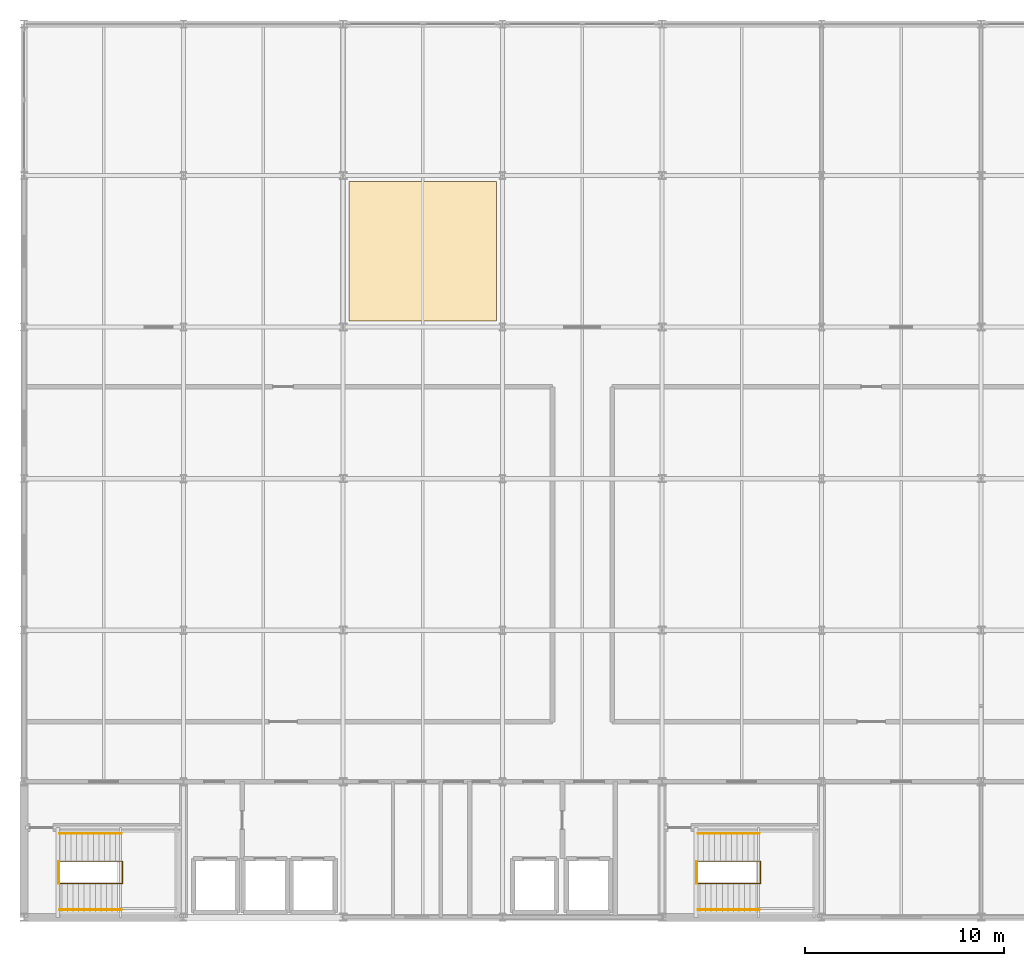
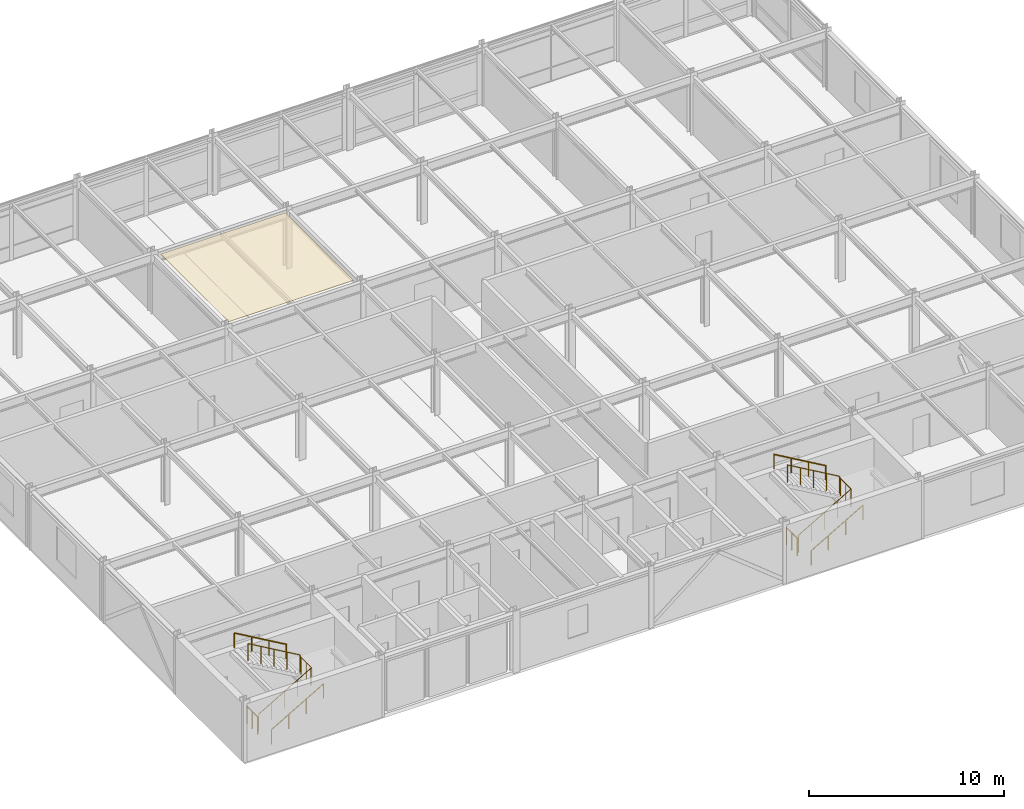
# One storey, part 14 of 14: 8 railings, 1 covering.
"""IFC4 building model written with IfcOpenShell, lengths in metres."""

from ifc_helpers import new_model, si_unit, direction, frame, origin, origin_2d, place, context, subcontext, project, spatial, polyline, circle, outline, extrude, material, layer, layer_set, type_object, element, save


model = new_model("IFC4")

# Units and contexts
model_context = context("Model", 3, precision=1e-05, world=origin(), true_north=direction((0.0, 1.0)))
body_context = subcontext(model_context, "Body", "Model", "MODEL_VIEW")
ifc_project = project(units=[si_unit("LENGTHUNIT", "METRE"), si_unit("AREAUNIT", "SQUARE_METRE"), si_unit("VOLUMEUNIT", "CUBIC_METRE"), si_unit("PLANEANGLEUNIT", "RADIAN"), si_unit("MASSUNIT", "GRAM", prefix="KILO")], contexts=[model_context])

# Site, building, storey
site_placement = place(None, origin())
site = spatial("IfcSite", under=ifc_project, at=site_placement, CompositionType="ELEMENT")
building_placement = place(site_placement, origin())
building = spatial("IfcBuilding", under=site, at=building_placement, Name="Shalkamar Park Central Library", CompositionType="ELEMENT")
storey_placement = place(building_placement, frame((0.0, 0.0, 28.199951171875)))
storey = spatial("IfcBuildingStorey", under=building, at=storey_placement, Name="L07", CompositionType="ELEMENT", Elevation=28.199951171875)

# Covering
ifc_material_1 = material(Name="Acoustic mineral fibre ceiling panel", Category="other")
ifc_layer = layer(ifc_material_1, 0.02490234375)
ifc_layer_set = layer_set([ifc_layer], Name="AcousticMineralCeilingTile")
covering_type = type_object("IfcCoveringType", Name="Acoustic Mineral Ceiling Tile", PredefinedType="CEILING", material=ifc_layer_set)
covering_placement = place(storey_placement, frame((0.0, 0.0, 3.635009765625)))
element("IfcCovering", 1, at=covering_placement, inside=storey, type_object=covering_type, Name="Acoustic Reading Ceiling Panel L07", PredefinedType="CEILING", context=body_context, shape_type="SweptSolid", body=[
    extrude(outline(polyline([(181.300048828125, 278.300048828125), (188.699951171875, 278.300048828125), (188.699951171875, 285.300048828125), (181.300048828125, 285.300048828125), (181.300048828125, 278.300048828125)])), origin(), (0.0, 0.0, 1.0), 0.025146484375),
])

# Railings
ifc_material_2 = material(Name="Steel S355", Category="steel")
railing_type_1 = type_object("IfcRailingType", Name="Stair Guardrail 1100", PredefinedType="GUARDRAIL", material=ifc_material_2)
railing_1_placement = place(storey_placement, frame((166.800048828125, 250.090087890625, 0.16259765625)))
element("IfcRailing", 2, at=railing_1_placement, inside=storey, type_object=railing_type_1, Name="Stair Inner Well Guardrail ST-T1-L07", PredefinedType="GUARDRAIL", context=body_context, shape_type="SweptSolid", body=[
    extrude(circle(Radius=0.02392578125, at=origin_2d()), frame((0.0, 0.0, 1.076171875), z_axis=(0.864903211148, 0.0, 0.501938676878), x_axis=(0.0, 1.0, 0.0)), (0.0, 0.0, 1.0), 3.560791015625),
    extrude(circle(Radius=0.02392578125, at=origin_2d()), frame((3.079833984375, 0.0, 2.86328125), z_axis=(1.0, 0.0, 0.0), x_axis=(0.0, 1.0, 0.0)), (0.0, 0.0, 1.0), 0.06005859375),
    extrude(circle(Radius=0.02392578125, at=origin_2d()), frame((3.139892578125, 0.0, 2.86328125), z_axis=(0.0, 1.0, 0.0), x_axis=(-1.0, 0.0, 0.0)), (0.0, 0.0, 1.0), 1.119873046875),
    extrude(circle(Radius=0.02392578125, at=origin_2d()), frame((3.139892578125, 1.119873046875, 2.86328125), z_axis=(-0.346488496144, 0.0, 0.938054221269), x_axis=(0.0, -1.0, 0.0)), (0.0, 0.0, 1.0), 0.17333984375),
    extrude(circle(Radius=0.02392578125, at=origin_2d()), frame((3.079833984375, 1.119873046875, 3.02587890625), z_axis=(-0.864873446163, 0.0, 0.501989962173), x_axis=(0.0, -1.0, 0.0)), (0.0, 0.0, 1.0), 3.56103515625),
    extrude(circle(Radius=0.02099609375, at=origin_2d()), origin(), (0.0, 0.0, 1.0), 1.052001953125),
    extrude(circle(Radius=0.02099609375, at=origin_2d()), frame((0.77001953125, 0.0, 0.44677734375)), (0.0, 0.0, 1.0), 1.052001953125),
    extrude(circle(Radius=0.02099609375, at=origin_2d()), frame((1.5400390625, 0.0, 0.8935546875)), (0.0, 0.0, 1.0), 1.052001953125),
    extrude(circle(Radius=0.02099609375, at=origin_2d()), frame((2.309814453125, 0.0, 1.340576171875)), (0.0, 0.0, 1.0), 1.052001953125),
    extrude(circle(Radius=0.02099609375, at=origin_2d()), frame((3.079833984375, 0.0, 1.787353515625)), (0.0, 0.0, 1.0), 1.052001953125),
    extrude(circle(Radius=0.02099609375, at=origin_2d()), frame((3.139892578125, 0.0, 1.787353515625)), (0.0, 0.0, 1.0), 1.052001953125),
    extrude(circle(Radius=0.02099609375, at=origin_2d()), frame((3.139892578125, 0.56005859375, 1.787353515625)), (0.0, 0.0, 1.0), 1.052001953125),
    extrude(circle(Radius=0.02099609375, at=origin_2d()), frame((3.139892578125, 1.119873046875, 1.787353515625)), (0.0, 0.0, 1.0), 1.052001953125),
    extrude(circle(Radius=0.02099609375, at=origin_2d()), frame((3.079833984375, 1.119873046875, 1.949951171875)), (0.0, 0.0, 1.0), 1.052001953125),
    extrude(circle(Radius=0.02099609375, at=origin_2d()), frame((2.309814453125, 1.119873046875, 2.39697265625)), (0.0, 0.0, 1.0), 1.052001953125),
    extrude(circle(Radius=0.02099609375, at=origin_2d()), frame((1.5400390625, 1.119873046875, 2.84375)), (0.0, 0.0, 1.0), 1.052001953125),
    extrude(circle(Radius=0.02099609375, at=origin_2d()), frame((0.77001953125, 1.119873046875, 3.29052734375)), (0.0, 0.0, 1.0), 1.052001953125),
    extrude(circle(Radius=0.02099609375, at=origin_2d()), frame((0.0, 1.119873046875, 3.737548828125)), (0.0, 0.0, 1.0), 1.052001953125),
])
railing_2_placement = place(storey_placement, frame((166.739990234375, 250.10009765625, 0.0)))
element("IfcRailing", 3, at=railing_2_placement, inside=storey, type_object=railing_type_1, Name="Stair Arrival Well Guardrail ST-T1 (L07)", PredefinedType="GUARDRAIL", context=body_context, shape_type="SweptSolid", body=[
    extrude(circle(Radius=0.02392578125, at=origin_2d()), frame((0.0, 0.0, 1.076171875), z_axis=(0.0, 1.0, 0.0), x_axis=(-1.0, 0.0, 0.0)), (0.0, 0.0, 1.0), 1.099853515625),
    extrude(circle(Radius=0.02099609375, at=origin_2d()), origin(), (0.0, 0.0, 1.0), 1.052001953125),
    extrude(circle(Radius=0.02099609375, at=origin_2d()), frame((0.0, 0.5498046875, 0.0)), (0.0, 0.0, 1.0), 1.052001953125),
    extrude(circle(Radius=0.02099609375, at=origin_2d()), frame((0.0, 1.099853515625, 0.0)), (0.0, 0.0, 1.0), 1.052001953125),
])
railing_3_placement = place(storey_placement, frame((198.800048828125, 250.090087890625, 0.16259765625)))
element("IfcRailing", 4, at=railing_3_placement, inside=storey, type_object=railing_type_1, Name="Stair Inner Well Guardrail ST-T2-L07", PredefinedType="GUARDRAIL", context=body_context, shape_type="SweptSolid", body=[
    extrude(circle(Radius=0.02392578125, at=origin_2d()), frame((0.0, 0.0, 1.076171875), z_axis=(0.864903211148, 0.0, 0.501938676878), x_axis=(0.0, 1.0, 0.0)), (0.0, 0.0, 1.0), 3.560791015625),
    extrude(circle(Radius=0.02392578125, at=origin_2d()), frame((3.079833984375, 0.0, 2.86328125), z_axis=(1.0, 0.0, 0.0), x_axis=(0.0, 1.0, 0.0)), (0.0, 0.0, 1.0), 0.06005859375),
    extrude(circle(Radius=0.02392578125, at=origin_2d()), frame((3.139892578125, 0.0, 2.86328125), z_axis=(0.0, 1.0, 0.0), x_axis=(-1.0, 0.0, 0.0)), (0.0, 0.0, 1.0), 1.119873046875),
    extrude(circle(Radius=0.02392578125, at=origin_2d()), frame((3.139892578125, 1.119873046875, 2.86328125), z_axis=(-0.346488496144, 0.0, 0.938054221269), x_axis=(0.0, -1.0, 0.0)), (0.0, 0.0, 1.0), 0.17333984375),
    extrude(circle(Radius=0.02392578125, at=origin_2d()), frame((3.079833984375, 1.119873046875, 3.02587890625), z_axis=(-0.864873446163, 0.0, 0.501989962173), x_axis=(0.0, -1.0, 0.0)), (0.0, 0.0, 1.0), 3.56103515625),
    extrude(circle(Radius=0.02099609375, at=origin_2d()), origin(), (0.0, 0.0, 1.0), 1.052001953125),
    extrude(circle(Radius=0.02099609375, at=origin_2d()), frame((0.77001953125, 0.0, 0.44677734375)), (0.0, 0.0, 1.0), 1.052001953125),
    extrude(circle(Radius=0.02099609375, at=origin_2d()), frame((1.5400390625, 0.0, 0.8935546875)), (0.0, 0.0, 1.0), 1.052001953125),
    extrude(circle(Radius=0.02099609375, at=origin_2d()), frame((2.309814453125, 0.0, 1.340576171875)), (0.0, 0.0, 1.0), 1.052001953125),
    extrude(circle(Radius=0.02099609375, at=origin_2d()), frame((3.079833984375, 0.0, 1.787353515625)), (0.0, 0.0, 1.0), 1.052001953125),
    extrude(circle(Radius=0.02099609375, at=origin_2d()), frame((3.139892578125, 0.0, 1.787353515625)), (0.0, 0.0, 1.0), 1.052001953125),
    extrude(circle(Radius=0.02099609375, at=origin_2d()), frame((3.139892578125, 0.56005859375, 1.787353515625)), (0.0, 0.0, 1.0), 1.052001953125),
    extrude(circle(Radius=0.02099609375, at=origin_2d()), frame((3.139892578125, 1.119873046875, 1.787353515625)), (0.0, 0.0, 1.0), 1.052001953125),
    extrude(circle(Radius=0.02099609375, at=origin_2d()), frame((3.079833984375, 1.119873046875, 1.949951171875)), (0.0, 0.0, 1.0), 1.052001953125),
    extrude(circle(Radius=0.02099609375, at=origin_2d()), frame((2.309814453125, 1.119873046875, 2.39697265625)), (0.0, 0.0, 1.0), 1.052001953125),
    extrude(circle(Radius=0.02099609375, at=origin_2d()), frame((1.5400390625, 1.119873046875, 2.84375)), (0.0, 0.0, 1.0), 1.052001953125),
    extrude(circle(Radius=0.02099609375, at=origin_2d()), frame((0.77001953125, 1.119873046875, 3.29052734375)), (0.0, 0.0, 1.0), 1.052001953125),
    extrude(circle(Radius=0.02099609375, at=origin_2d()), frame((0.0, 1.119873046875, 3.737548828125)), (0.0, 0.0, 1.0), 1.052001953125),
])
railing_4_placement = place(storey_placement, frame((198.739990234375, 250.10009765625, 0.0)))
element("IfcRailing", 5, at=railing_4_placement, inside=storey, type_object=railing_type_1, Name="Stair Arrival Well Guardrail ST-T2 (L07)", PredefinedType="GUARDRAIL", context=body_context, shape_type="SweptSolid", body=[
    extrude(circle(Radius=0.02392578125, at=origin_2d()), frame((0.0, 0.0, 1.076171875), z_axis=(0.0, 1.0, 0.0), x_axis=(-1.0, 0.0, 0.0)), (0.0, 0.0, 1.0), 1.099853515625),
    extrude(circle(Radius=0.02099609375, at=origin_2d()), origin(), (0.0, 0.0, 1.0), 1.052001953125),
    extrude(circle(Radius=0.02099609375, at=origin_2d()), frame((0.0, 0.5498046875, 0.0)), (0.0, 0.0, 1.0), 1.052001953125),
    extrude(circle(Radius=0.02099609375, at=origin_2d()), frame((0.0, 1.099853515625, 0.0)), (0.0, 0.0, 1.0), 1.052001953125),
])
railing_type_2 = type_object("IfcRailingType", Name="Stair Pitched Handrail 920", PredefinedType="HANDRAIL", material=ifc_material_2)
railing_5_placement = place(storey_placement, frame((166.800048828125, 248.780029296875, 0.16259765625)))
element("IfcRailing", 6, at=railing_5_placement, inside=storey, type_object=railing_type_2, Name="Stair Wall Handrail ST-T1-L07 Flight 1", PredefinedType="HANDRAIL", context=body_context, shape_type="SweptSolid", body=[
    extrude(circle(Radius=0.02392578125, at=origin_2d()), frame((0.0, 0.0, 0.89599609375), z_axis=(0.864903211148, 0.0, 0.501938676878), x_axis=(0.0, 1.0, 0.0)), (0.0, 0.0, 1.0), 3.560791015625),
    extrude(circle(Radius=0.02099609375, at=origin_2d()), origin(), (0.0, 0.0, 1.0), 0.871826171875),
    extrude(circle(Radius=0.02099609375, at=origin_2d()), frame((1.026611328125, 0.0, 0.595703125)), (0.0, 0.0, 1.0), 0.871826171875),
    extrude(circle(Radius=0.02099609375, at=origin_2d()), frame((2.05322265625, 0.0, 1.191650390625)), (0.0, 0.0, 1.0), 0.871826171875),
    extrude(circle(Radius=0.02099609375, at=origin_2d()), frame((3.079833984375, 0.0, 1.787353515625)), (0.0, 0.0, 1.0), 0.871826171875),
])
railing_6_placement = place(storey_placement, frame((169.8798828125, 252.60009765625, 2.112548828125)))
element("IfcRailing", 7, at=railing_6_placement, inside=storey, type_object=railing_type_2, Name="Stair Wall Handrail ST-T1-L07 Flight 2", PredefinedType="HANDRAIL", context=body_context, shape_type="SweptSolid", body=[
    extrude(circle(Radius=0.02392578125, at=origin_2d()), frame((0.0, 0.0, 0.89599609375), z_axis=(-0.864873446163, 0.0, 0.501989962173), x_axis=(0.0, -1.0, 0.0)), (0.0, 0.0, 1.0), 3.56103515625),
    extrude(circle(Radius=0.02099609375, at=origin_2d()), origin(), (0.0, 0.0, 1.0), 0.871826171875),
    extrude(circle(Radius=0.02099609375, at=origin_2d()), frame((-1.026611328125, 0.0, 0.595947265625)), (0.0, 0.0, 1.0), 0.871826171875),
    extrude(circle(Radius=0.02099609375, at=origin_2d()), frame((-2.05322265625, 0.0, 1.191650390625)), (0.0, 0.0, 1.0), 0.871826171875),
    extrude(circle(Radius=0.02099609375, at=origin_2d()), frame((-3.079833984375, 0.0, 1.78759765625)), (0.0, 0.0, 1.0), 0.871826171875),
])
railing_7_placement = place(storey_placement, frame((198.800048828125, 248.780029296875, 0.16259765625)))
element("IfcRailing", 8, at=railing_7_placement, inside=storey, type_object=railing_type_2, Name="Stair Wall Handrail ST-T2-L07 Flight 1", PredefinedType="HANDRAIL", context=body_context, shape_type="SweptSolid", body=[
    extrude(circle(Radius=0.02392578125, at=origin_2d()), frame((0.0, 0.0, 0.89599609375), z_axis=(0.864903211148, 0.0, 0.501938676878), x_axis=(0.0, 1.0, 0.0)), (0.0, 0.0, 1.0), 3.560791015625),
    extrude(circle(Radius=0.02099609375, at=origin_2d()), origin(), (0.0, 0.0, 1.0), 0.871826171875),
    extrude(circle(Radius=0.02099609375, at=origin_2d()), frame((1.026611328125, 0.0, 0.595703125)), (0.0, 0.0, 1.0), 0.871826171875),
    extrude(circle(Radius=0.02099609375, at=origin_2d()), frame((2.05322265625, 0.0, 1.191650390625)), (0.0, 0.0, 1.0), 0.871826171875),
    extrude(circle(Radius=0.02099609375, at=origin_2d()), frame((3.079833984375, 0.0, 1.787353515625)), (0.0, 0.0, 1.0), 0.871826171875),
])
railing_8_placement = place(storey_placement, frame((201.8798828125, 252.60009765625, 2.112548828125)))
element("IfcRailing", 9, at=railing_8_placement, inside=storey, type_object=railing_type_2, Name="Stair Wall Handrail ST-T2-L07 Flight 2", PredefinedType="HANDRAIL", context=body_context, shape_type="SweptSolid", body=[
    extrude(circle(Radius=0.02392578125, at=origin_2d()), frame((0.0, 0.0, 0.89599609375), z_axis=(-0.864873446163, 0.0, 0.501989962173), x_axis=(0.0, -1.0, 0.0)), (0.0, 0.0, 1.0), 3.56103515625),
    extrude(circle(Radius=0.02099609375, at=origin_2d()), origin(), (0.0, 0.0, 1.0), 0.871826171875),
    extrude(circle(Radius=0.02099609375, at=origin_2d()), frame((-1.026611328125, 0.0, 0.595947265625)), (0.0, 0.0, 1.0), 0.871826171875),
    extrude(circle(Radius=0.02099609375, at=origin_2d()), frame((-2.05322265625, 0.0, 1.191650390625)), (0.0, 0.0, 1.0), 0.871826171875),
    extrude(circle(Radius=0.02099609375, at=origin_2d()), frame((-3.079833984375, 0.0, 1.78759765625)), (0.0, 0.0, 1.0), 0.871826171875),
])

save(model, "model.ifc")
